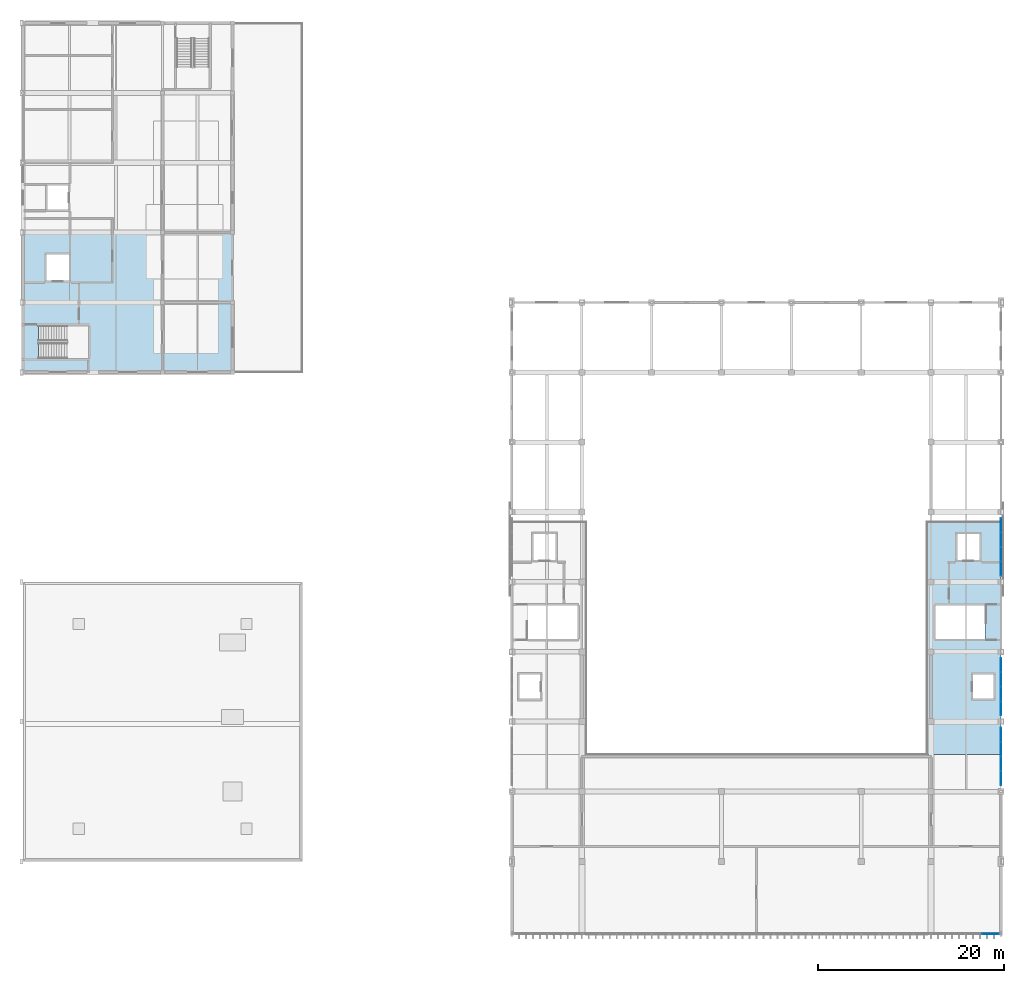
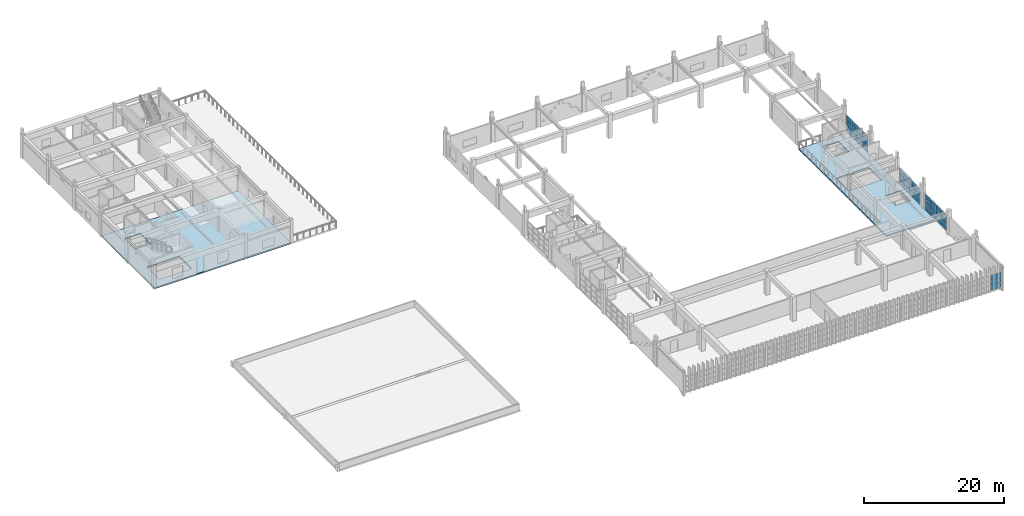
# One storey, part 26 of 51: 39 plates, 2 slabs, 4 elements without a shape of their own.
"""IFC4 building model written with IfcOpenShell, lengths in metres."""

import ifcopenshell
import ifcopenshell.guid

model = None  # the IFC model being written
_history = None  # IfcOwnerHistory: only IFC2X3 demands one
_inside = {}  # id of a spatial element -> (the spatial element, [elements in it])
_under = {}  # id of a project, library or spatial element -> (it, [spatial elements below it])
_declared = {}  # id of a project -> (the project, [libraries it declares])
_typed = {}  # id of a type object -> (the type object, [elements of that type])
_made_of = {}  # id of a material, layer set ... -> (it, [elements and type objects made of it])


def new_model(schema):
    """Start an empty IFC model of exactly this schema.

    Asked for "IFC4X3", IfcOpenShell would pick the latest addendum, in which some entities
    have other attributes; the version numbers below select the first issue.
    IFC2X3 requires an IfcOwnerHistory on every rooted entity: one is made here for all.
    """
    global model, _history
    if schema == "IFC4X3":
        model = ifcopenshell.file(schema_version=(4, 3, 0, 0))
    else:
        model = ifcopenshell.file(schema=schema)
    _inside.clear()
    _under.clear()
    _declared.clear()
    _typed.clear()
    _made_of.clear()
    _history = None
    if model.schema == "IFC2X3":
        org = make("IfcOrganization", Name="unknown")
        user = make(
            "IfcPersonAndOrganization",
            ThePerson=make("IfcPerson", FamilyName="unknown"),
            TheOrganization=org,
        )
        app = make(
            "IfcApplication",
            ApplicationDeveloper=org,
            Version="unknown",
            ApplicationFullName="unknown",
            ApplicationIdentifier="unknown",
        )
        _history = make(
            "IfcOwnerHistory",
            OwningUser=user,
            OwningApplication=app,
            ChangeAction="ADDED",
            CreationDate=0,
        )
    return model


def make(cls, **values):
    """One entity of the class cls with the attributes given. An attribute that is None is left unset."""
    return model.create_entity(
        cls, **{name: value for name, value in values.items() if value is not None}
    )


def rooted(cls, **values):
    """An entity with a GlobalId (a new one), such as an element, a storey or a relation."""
    return make(cls, GlobalId=ifcopenshell.guid.new(), OwnerHistory=_history, **values)


def si_unit(unit_type, name, prefix=None):
    """IfcSIUnit, for example si_unit("LENGTHUNIT", "METRE", prefix="MILLI")."""
    return make("IfcSIUnit", UnitType=unit_type, Prefix=prefix, Name=name)


def assignment(units):
    """IfcUnitAssignment: the units of a project."""
    return None if units is None else make("IfcUnitAssignment", Units=units)


def point(xyz):
    """IfcCartesianPoint."""
    return None if xyz is None else make("IfcCartesianPoint", Coordinates=xyz)


def direction(xyz):
    """IfcDirection."""
    return None if xyz is None else make("IfcDirection", DirectionRatios=xyz)


def frame(location, z_axis=None, x_axis=None):
    """IfcAxis2Placement3D, a coordinate frame: its origin and axes. An axis left out is left unset."""
    return make(
        "IfcAxis2Placement3D",
        Location=point(location),
        Axis=direction(z_axis),
        RefDirection=direction(x_axis),
    )


def frame_2d(location, x_axis=None):
    """IfcAxis2Placement2D, a coordinate frame in the plane: its origin and x axis."""
    return make(
        "IfcAxis2Placement2D", Location=point(location), RefDirection=direction(x_axis)
    )


def origin():
    """The frame at (0, 0, 0) with its axes left unset."""
    return frame((0.0, 0.0, 0.0))


def origin_2d():
    """The frame at (0, 0) in the plane with its x axis left unset."""
    return frame_2d((0.0, 0.0))


def place(relative_to, where):
    """IfcLocalPlacement: puts the frame where relative to a parent placement (None: the world)."""
    return make(
        "IfcLocalPlacement", PlacementRelTo=relative_to, RelativePlacement=where
    )


def context(
    kind, dimensions, precision=None, world=None, true_north=None, identifier=None
):
    """IfcGeometricRepresentationContext, for example the 3D "Model" context."""
    return make(
        "IfcGeometricRepresentationContext",
        ContextIdentifier=identifier,
        ContextType=kind,
        CoordinateSpaceDimension=dimensions,
        Precision=precision,
        WorldCoordinateSystem=world,
        TrueNorth=true_north,
    )


def subcontext(parent, identifier, kind, view, scale=None):
    """IfcGeometricRepresentationSubContext, for example "Body" below "Model"."""
    return make(
        "IfcGeometricRepresentationSubContext",
        ContextIdentifier=identifier,
        ContextType=kind,
        ParentContext=parent,
        TargetScale=scale,
        TargetView=view,
    )


def project(units=None, contexts=None):
    """IfcProject with its units and contexts."""
    return rooted(
        "IfcProject",
        Name="project",
        RepresentationContexts=contexts,
        UnitsInContext=assignment(units),
    )


def spatial(cls, under=None, at=None, **own):
    """A site, building, storey or space (cls), placed at a placement, below another one or the project."""
    s = rooted(cls, ObjectPlacement=at, **own)
    if under is not None:
        _under.setdefault(under.id(), (under, []))[1].append(s)
    return s


def polyline(points):
    """IfcPolyline through the points."""
    return make("IfcPolyline", Points=[point(p) for p in points])


def profile(cls, at=None, kind="AREA", **sizes):
    """A parametric profile (cls). Its sizes go by their IFC names, for example OverallWidth=200.0."""
    return make(cls, ProfileType=kind, Position=at, **sizes)


def rectangle(**sizes):
    """IfcRectangleProfileDef."""
    return profile("IfcRectangleProfileDef", **sizes)


def outline(outer, holes=None, kind="AREA"):
    """IfcArbitraryClosedProfileDef: a profile drawn as a closed curve; with holes, ...WithVoids."""
    if holes is None:
        return make("IfcArbitraryClosedProfileDef", ProfileType=kind, OuterCurve=outer)
    return make(
        "IfcArbitraryProfileDefWithVoids",
        ProfileType=kind,
        OuterCurve=outer,
        InnerCurves=holes,
    )


def extrude(swept, where, along, depth):
    """IfcExtrudedAreaSolid: the profile swept, set in the frame where, extruded along a direction by depth."""
    return make(
        "IfcExtrudedAreaSolid",
        SweptArea=swept,
        Position=where,
        ExtrudedDirection=direction(along),
        Depth=depth,
    )


def shape(context_of_items, identifier, shape_type, items):
    """IfcShapeRepresentation: the items that make up one representation, for example the "Body"."""
    return make(
        "IfcShapeRepresentation",
        ContextOfItems=context_of_items,
        RepresentationIdentifier=identifier,
        RepresentationType=shape_type,
        Items=items,
    )


def material(Name=None, Category=None):
    """IfcMaterial."""
    return make("IfcMaterial", Name=Name, Category=Category)


def layer(
    of_material, thickness, ventilated=None, Name=None, Category=None, Priority=None
):
    """IfcMaterialLayer: one layer of a wall or slab, of a material (None: an air gap)."""
    return make(
        "IfcMaterialLayer",
        Material=of_material,
        LayerThickness=thickness,
        IsVentilated=ventilated,
        Name=Name,
        Category=Category,
        Priority=Priority,
    )


def layer_set(layers, Name=None):
    """IfcMaterialLayerSet."""
    return make("IfcMaterialLayerSet", MaterialLayers=layers, LayerSetName=Name)


def made_of(thing, what):
    """Note that an element or type object is made of a material, layer set ...; save() writes the relation."""
    if what is not None:
        _made_of.setdefault(what.id(), (what, []))[1].append(thing)
    return thing


def type_object(cls, material=None, **own):
    """A type object (cls), such as IfcWallType, which elements share."""
    return made_of(rooted(cls, **own), material)


def element(
    cls,
    number,
    at=None,
    inside=None,
    cuts=None,
    type_object=None,
    material=None,
    context=None,
    identifier="Body",
    shape_type=None,
    held_by="IfcProductDefinitionShape",
    body=None,
    shapes=None,
    **own,
):
    """One element of the class cls, such as IfcWall. Its Tag is "e" and its number.

    at: its placement. inside: the storey or other place that contains it. cuts: it is an
    opening in that element (IfcRelVoidsElement). A single representation is given by context,
    identifier, shape_type and body (its items); several are given by shapes. held_by: the class
    of the entity that holds the representations. save() writes the other relations.
    """
    e = rooted(cls, Tag="e%d" % number, ObjectPlacement=at, **own)
    if body is not None:
        shapes = [shape(context, identifier, shape_type, body)]
    if shapes is not None:
        e.Representation = make(held_by, Representations=shapes)
    if inside is not None:
        _inside.setdefault(inside.id(), (inside, []))[1].append(e)
    if cuts is not None:
        rooted(
            "IfcRelVoidsElement", RelatingBuildingElement=cuts, RelatedOpeningElement=e
        )
    if type_object is not None:
        _typed.setdefault(type_object.id(), (type_object, []))[1].append(e)
    return made_of(e, material)


def aggregate(whole, parts):
    """IfcRelAggregates: a whole, such as a stair, and the parts it consists of."""
    return rooted("IfcRelAggregates", RelatingObject=whole, RelatedObjects=parts)


def save(model, path):
    """Write the relations noted so far, then the file.

    IfcRelAggregates (storeys below a building ...), IfcRelContainedInSpatialStructure (elements
    in a storey), IfcRelDefinesByType, IfcRelAssociatesMaterial and IfcRelDeclares: one each for
    every whole, place, type object, material and project.
    """
    for whole, parts in _under.values():
        aggregate(whole, parts)
    for where, things in _inside.values():
        rooted(
            "IfcRelContainedInSpatialStructure",
            RelatedElements=things,
            RelatingStructure=where,
        )
    for kind, things in _typed.values():
        rooted("IfcRelDefinesByType", RelatedObjects=things, RelatingType=kind)
    for what, things in _made_of.values():
        rooted("IfcRelAssociatesMaterial", RelatedObjects=things, RelatingMaterial=what)
    for by, libraries in _declared.values():
        rooted("IfcRelDeclares", RelatingContext=by, RelatedDefinitions=libraries)
    model.write(path)


model = new_model("IFC4")

# Units and contexts
model_context = context("Model", 3, precision=1e-05, world=origin(), true_north=direction((0.0, 1.0)))
body_context = subcontext(model_context, "Body", "Model", "MODEL_VIEW")
ifc_project = project(units=[si_unit("LENGTHUNIT", "METRE"), si_unit("AREAUNIT", "SQUARE_METRE"), si_unit("VOLUMEUNIT", "CUBIC_METRE"), si_unit("PLANEANGLEUNIT", "RADIAN"), si_unit("MASSUNIT", "GRAM", prefix="KILO")], contexts=[model_context])

# Site, building, storey
site_placement = place(None, origin())
site = spatial("IfcSite", under=ifc_project, at=site_placement, CompositionType="ELEMENT")
building_placement = place(site_placement, origin())
building = spatial("IfcBuilding", under=site, at=building_placement, Name="Qasida Concert Hall", CompositionType="ELEMENT")
storey_placement = place(building_placement, frame((0.0, 0.0, 21.0)))
storey = spatial("IfcBuildingStorey", under=building, at=storey_placement, Name="L05", CompositionType="ELEMENT", Elevation=21.0)

# Curtain wall, plates
ifc_material_1 = material(Name="Architectural bronze-anodized aluminium and low-E glass", Category="aluminium")
curtain_wall_type = type_object("IfcCurtainWallType", Name="CW-05", PredefinedType="NOTDEFINED", material=ifc_material_1)
curtain_wall_1_placement = place(storey_placement, origin())
curtain_wall_1 = element("IfcCurtainWall", 1, at=curtain_wall_1_placement, inside=storey, type_object=curtain_wall_type, Name="L05 curtain wall CW-05 0035", PredefinedType="NOTDEFINED")
ifc_material_2 = material(Name="Solar-control low-E double glazing", Category="glass")
ifc_layer_1 = layer(ifc_material_2, 0.028076171875, Name="Solar-control low-E double glazing")
ifc_layer_set_1 = layer_set([ifc_layer_1], Name="Solar-control low-E double glazing")
plate_type = type_object("IfcPlateType", Name="PLT-CWP-3", PredefinedType="CURTAIN_PANEL", material=ifc_layer_set_1)
plate_1_placement = place(storey_placement, frame((103.875, 14.699951171875, 0.06005859375), z_axis=(0.0, 0.0, 1.0), x_axis=(1.0, 0.0, 0.0)))
plate_1 = element("IfcPlate", 2, at=plate_1_placement, type_object=plate_type, Name="CW-05 panel 4.1", PredefinedType="CURTAIN_PANEL", context=body_context, shape_type="SweptSolid", body=[
    extrude(rectangle(XDim=1.72998046875, YDim=0.028076171875, at=origin_2d()), origin(), (0.0, 0.0, 1.0), 0.806640625),
])
plate_2_placement = place(storey_placement, frame((103.875, 14.699951171875, 0.9267578125), z_axis=(0.0, 0.0, 1.0), x_axis=(1.0, 0.0, 0.0)))
plate_2 = element("IfcPlate", 3, at=plate_2_placement, type_object=plate_type, Name="CW-05 panel 4.2", PredefinedType="CURTAIN_PANEL", context=body_context, shape_type="SweptSolid", body=[
    extrude(rectangle(XDim=1.72998046875, YDim=0.028076171875, at=origin_2d()), origin(), (0.0, 0.0, 1.0), 0.836669921875),
])
plate_3_placement = place(storey_placement, frame((103.875, 14.699951171875, 1.8232421875), z_axis=(0.0, 0.0, 1.0), x_axis=(1.0, 0.0, 0.0)))
plate_3 = element("IfcPlate", 4, at=plate_3_placement, type_object=plate_type, Name="CW-05 panel 4.3", PredefinedType="CURTAIN_PANEL", context=body_context, shape_type="SweptSolid", body=[
    extrude(rectangle(XDim=1.72998046875, YDim=0.028076171875, at=origin_2d()), origin(), (0.0, 0.0, 1.0), 0.806640625),
])
aggregate(curtain_wall_1, [plate_1, plate_2, plate_3])

curtain_wall_2_placement = place(storey_placement, origin())
curtain_wall_2 = element("IfcCurtainWall", 5, at=curtain_wall_2_placement, inside=storey, type_object=curtain_wall_type, Name="L05 curtain wall CW-05 0063", PredefinedType="NOTDEFINED")
plate_4_placement = place(storey_placement, frame((105.0, 31.41748046875, 0.06005859375), z_axis=(0.0, 0.0, 1.0), x_axis=(0.0, 1.0, 0.0)))
plate_4 = element("IfcPlate", 6, at=plate_4_placement, type_object=plate_type, Name="CW-05 panel 1.1", PredefinedType="CURTAIN_PANEL", context=body_context, shape_type="SweptSolid", body=[
    extrude(rectangle(XDim=1.47509765625, YDim=0.028076171875, at=origin_2d()), origin(), (0.0, 0.0, 1.0), 0.856689453125),
])
plate_5_placement = place(storey_placement, frame((105.0, 31.41748046875, 0.9765625), z_axis=(0.0, 0.0, 1.0), x_axis=(0.0, 1.0, 0.0)))
plate_5 = element("IfcPlate", 7, at=plate_5_placement, type_object=plate_type, Name="CW-05 panel 1.2", PredefinedType="CURTAIN_PANEL", context=body_context, shape_type="SweptSolid", body=[
    extrude(rectangle(XDim=1.47509765625, YDim=0.028076171875, at=origin_2d()), origin(), (0.0, 0.0, 1.0), 0.88671875),
])
plate_6_placement = place(storey_placement, frame((105.0, 31.41748046875, 1.92333984375), z_axis=(0.0, 0.0, 1.0), x_axis=(0.0, 1.0, 0.0)))
plate_6 = element("IfcPlate", 8, at=plate_6_placement, type_object=plate_type, Name="CW-05 panel 1.3", PredefinedType="CURTAIN_PANEL", context=body_context, shape_type="SweptSolid", body=[
    extrude(rectangle(XDim=1.47509765625, YDim=0.028076171875, at=origin_2d()), origin(), (0.0, 0.0, 1.0), 0.856689453125),
])
plate_7_placement = place(storey_placement, frame((105.0, 32.967529296875, 0.06005859375), z_axis=(0.0, 0.0, 1.0), x_axis=(0.0, 1.0, 0.0)))
plate_7 = element("IfcPlate", 9, at=plate_7_placement, type_object=plate_type, Name="CW-05 panel 2.1", PredefinedType="CURTAIN_PANEL", context=body_context, shape_type="SweptSolid", body=[
    extrude(rectangle(XDim=1.5048828125, YDim=0.028076171875, at=origin_2d()), origin(), (0.0, 0.0, 1.0), 0.856689453125),
])
plate_8_placement = place(storey_placement, frame((105.0, 32.967529296875, 0.9765625), z_axis=(0.0, 0.0, 1.0), x_axis=(0.0, 1.0, 0.0)))
plate_8 = element("IfcPlate", 10, at=plate_8_placement, type_object=plate_type, Name="CW-05 panel 2.2", PredefinedType="CURTAIN_PANEL", context=body_context, shape_type="SweptSolid", body=[
    extrude(rectangle(XDim=1.5048828125, YDim=0.028076171875, at=origin_2d()), origin(), (0.0, 0.0, 1.0), 0.88671875),
])
plate_9_placement = place(storey_placement, frame((105.0, 32.967529296875, 1.92333984375), z_axis=(0.0, 0.0, 1.0), x_axis=(0.0, 1.0, 0.0)))
plate_9 = element("IfcPlate", 11, at=plate_9_placement, type_object=plate_type, Name="CW-05 panel 2.3", PredefinedType="CURTAIN_PANEL", context=body_context, shape_type="SweptSolid", body=[
    extrude(rectangle(XDim=1.5048828125, YDim=0.028076171875, at=origin_2d()), origin(), (0.0, 0.0, 1.0), 0.856689453125),
])
plate_10_placement = place(storey_placement, frame((105.0, 34.532470703125, 0.06005859375), z_axis=(0.0, 0.0, 1.0), x_axis=(0.0, 1.0, 0.0)))
plate_10 = element("IfcPlate", 12, at=plate_10_placement, type_object=plate_type, Name="CW-05 panel 3.1", PredefinedType="CURTAIN_PANEL", context=body_context, shape_type="SweptSolid", body=[
    extrude(rectangle(XDim=1.5048828125, YDim=0.028076171875, at=origin_2d()), origin(), (0.0, 0.0, 1.0), 0.856689453125),
])
plate_11_placement = place(storey_placement, frame((105.0, 34.532470703125, 0.9765625), z_axis=(0.0, 0.0, 1.0), x_axis=(0.0, 1.0, 0.0)))
plate_11 = element("IfcPlate", 13, at=plate_11_placement, type_object=plate_type, Name="CW-05 panel 3.2", PredefinedType="CURTAIN_PANEL", context=body_context, shape_type="SweptSolid", body=[
    extrude(rectangle(XDim=1.5048828125, YDim=0.028076171875, at=origin_2d()), origin(), (0.0, 0.0, 1.0), 0.88671875),
])
plate_12_placement = place(storey_placement, frame((105.0, 34.532470703125, 1.92333984375), z_axis=(0.0, 0.0, 1.0), x_axis=(0.0, 1.0, 0.0)))
plate_12 = element("IfcPlate", 14, at=plate_12_placement, type_object=plate_type, Name="CW-05 panel 3.3", PredefinedType="CURTAIN_PANEL", context=body_context, shape_type="SweptSolid", body=[
    extrude(rectangle(XDim=1.5048828125, YDim=0.028076171875, at=origin_2d()), origin(), (0.0, 0.0, 1.0), 0.856689453125),
])
plate_13_placement = place(storey_placement, frame((105.0, 36.08251953125, 0.06005859375), z_axis=(0.0, 0.0, 1.0), x_axis=(0.0, 1.0, 0.0)))
plate_13 = element("IfcPlate", 15, at=plate_13_placement, type_object=plate_type, Name="CW-05 panel 4.1", PredefinedType="CURTAIN_PANEL", context=body_context, shape_type="SweptSolid", body=[
    extrude(rectangle(XDim=1.47509765625, YDim=0.028076171875, at=origin_2d()), origin(), (0.0, 0.0, 1.0), 0.856689453125),
])
plate_14_placement = place(storey_placement, frame((105.0, 36.08251953125, 0.9765625), z_axis=(0.0, 0.0, 1.0), x_axis=(0.0, 1.0, 0.0)))
plate_14 = element("IfcPlate", 16, at=plate_14_placement, type_object=plate_type, Name="CW-05 panel 4.2", PredefinedType="CURTAIN_PANEL", context=body_context, shape_type="SweptSolid", body=[
    extrude(rectangle(XDim=1.47509765625, YDim=0.028076171875, at=origin_2d()), origin(), (0.0, 0.0, 1.0), 0.88671875),
])
plate_15_placement = place(storey_placement, frame((105.0, 36.08251953125, 1.92333984375), z_axis=(0.0, 0.0, 1.0), x_axis=(0.0, 1.0, 0.0)))
plate_15 = element("IfcPlate", 17, at=plate_15_placement, type_object=plate_type, Name="CW-05 panel 4.3", PredefinedType="CURTAIN_PANEL", context=body_context, shape_type="SweptSolid", body=[
    extrude(rectangle(XDim=1.47509765625, YDim=0.028076171875, at=origin_2d()), origin(), (0.0, 0.0, 1.0), 0.856689453125),
])
aggregate(curtain_wall_2, [plate_4, plate_5, plate_6, plate_7, plate_8, plate_9, plate_10, plate_11, plate_12, plate_13, plate_14, plate_15])

curtain_wall_3_placement = place(storey_placement, origin())
curtain_wall_3 = element("IfcCurtainWall", 18, at=curtain_wall_3_placement, inside=storey, type_object=curtain_wall_type, Name="L05 curtain wall CW-05 0065", PredefinedType="NOTDEFINED")
plate_16_placement = place(storey_placement, frame((105.0, 38.91748046875, 0.06005859375), z_axis=(0.0, 0.0, 1.0), x_axis=(0.0, 1.0, 0.0)))
plate_16 = element("IfcPlate", 19, at=plate_16_placement, type_object=plate_type, Name="CW-05 panel 1.1", PredefinedType="CURTAIN_PANEL", context=body_context, shape_type="SweptSolid", body=[
    extrude(rectangle(XDim=1.47509765625, YDim=0.028076171875, at=origin_2d()), origin(), (0.0, 0.0, 1.0), 0.856689453125),
])
plate_17_placement = place(storey_placement, frame((105.0, 38.91748046875, 0.9765625), z_axis=(0.0, 0.0, 1.0), x_axis=(0.0, 1.0, 0.0)))
plate_17 = element("IfcPlate", 20, at=plate_17_placement, type_object=plate_type, Name="CW-05 panel 1.2", PredefinedType="CURTAIN_PANEL", context=body_context, shape_type="SweptSolid", body=[
    extrude(rectangle(XDim=1.47509765625, YDim=0.028076171875, at=origin_2d()), origin(), (0.0, 0.0, 1.0), 0.88671875),
])
plate_18_placement = place(storey_placement, frame((105.0, 38.91748046875, 1.92333984375), z_axis=(0.0, 0.0, 1.0), x_axis=(0.0, 1.0, 0.0)))
plate_18 = element("IfcPlate", 21, at=plate_18_placement, type_object=plate_type, Name="CW-05 panel 1.3", PredefinedType="CURTAIN_PANEL", context=body_context, shape_type="SweptSolid", body=[
    extrude(rectangle(XDim=1.47509765625, YDim=0.028076171875, at=origin_2d()), origin(), (0.0, 0.0, 1.0), 0.856689453125),
])
plate_19_placement = place(storey_placement, frame((105.0, 40.467529296875, 0.06005859375), z_axis=(0.0, 0.0, 1.0), x_axis=(0.0, 1.0, 0.0)))
plate_19 = element("IfcPlate", 22, at=plate_19_placement, type_object=plate_type, Name="CW-05 panel 2.1", PredefinedType="CURTAIN_PANEL", context=body_context, shape_type="SweptSolid", body=[
    extrude(rectangle(XDim=1.5048828125, YDim=0.028076171875, at=origin_2d()), origin(), (0.0, 0.0, 1.0), 0.856689453125),
])
plate_20_placement = place(storey_placement, frame((105.0, 40.467529296875, 0.9765625), z_axis=(0.0, 0.0, 1.0), x_axis=(0.0, 1.0, 0.0)))
plate_20 = element("IfcPlate", 23, at=plate_20_placement, type_object=plate_type, Name="CW-05 panel 2.2", PredefinedType="CURTAIN_PANEL", context=body_context, shape_type="SweptSolid", body=[
    extrude(rectangle(XDim=1.5048828125, YDim=0.028076171875, at=origin_2d()), origin(), (0.0, 0.0, 1.0), 0.88671875),
])
plate_21_placement = place(storey_placement, frame((105.0, 40.467529296875, 1.92333984375), z_axis=(0.0, 0.0, 1.0), x_axis=(0.0, 1.0, 0.0)))
plate_21 = element("IfcPlate", 24, at=plate_21_placement, type_object=plate_type, Name="CW-05 panel 2.3", PredefinedType="CURTAIN_PANEL", context=body_context, shape_type="SweptSolid", body=[
    extrude(rectangle(XDim=1.5048828125, YDim=0.028076171875, at=origin_2d()), origin(), (0.0, 0.0, 1.0), 0.856689453125),
])
plate_22_placement = place(storey_placement, frame((105.0, 42.032470703125, 0.06005859375), z_axis=(0.0, 0.0, 1.0), x_axis=(0.0, 1.0, 0.0)))
plate_22 = element("IfcPlate", 25, at=plate_22_placement, type_object=plate_type, Name="CW-05 panel 3.1", PredefinedType="CURTAIN_PANEL", context=body_context, shape_type="SweptSolid", body=[
    extrude(rectangle(XDim=1.5048828125, YDim=0.028076171875, at=origin_2d()), origin(), (0.0, 0.0, 1.0), 0.856689453125),
])
plate_23_placement = place(storey_placement, frame((105.0, 42.032470703125, 0.9765625), z_axis=(0.0, 0.0, 1.0), x_axis=(0.0, 1.0, 0.0)))
plate_23 = element("IfcPlate", 26, at=plate_23_placement, type_object=plate_type, Name="CW-05 panel 3.2", PredefinedType="CURTAIN_PANEL", context=body_context, shape_type="SweptSolid", body=[
    extrude(rectangle(XDim=1.5048828125, YDim=0.028076171875, at=origin_2d()), origin(), (0.0, 0.0, 1.0), 0.88671875),
])
plate_24_placement = place(storey_placement, frame((105.0, 42.032470703125, 1.92333984375), z_axis=(0.0, 0.0, 1.0), x_axis=(0.0, 1.0, 0.0)))
plate_24 = element("IfcPlate", 27, at=plate_24_placement, type_object=plate_type, Name="CW-05 panel 3.3", PredefinedType="CURTAIN_PANEL", context=body_context, shape_type="SweptSolid", body=[
    extrude(rectangle(XDim=1.5048828125, YDim=0.028076171875, at=origin_2d()), origin(), (0.0, 0.0, 1.0), 0.856689453125),
])
plate_25_placement = place(storey_placement, frame((105.0, 43.58251953125, 0.06005859375), z_axis=(0.0, 0.0, 1.0), x_axis=(0.0, 1.0, 0.0)))
plate_25 = element("IfcPlate", 28, at=plate_25_placement, type_object=plate_type, Name="CW-05 panel 4.1", PredefinedType="CURTAIN_PANEL", context=body_context, shape_type="SweptSolid", body=[
    extrude(rectangle(XDim=1.47509765625, YDim=0.028076171875, at=origin_2d()), origin(), (0.0, 0.0, 1.0), 0.856689453125),
])
plate_26_placement = place(storey_placement, frame((105.0, 43.58251953125, 0.9765625), z_axis=(0.0, 0.0, 1.0), x_axis=(0.0, 1.0, 0.0)))
plate_26 = element("IfcPlate", 29, at=plate_26_placement, type_object=plate_type, Name="CW-05 panel 4.2", PredefinedType="CURTAIN_PANEL", context=body_context, shape_type="SweptSolid", body=[
    extrude(rectangle(XDim=1.47509765625, YDim=0.028076171875, at=origin_2d()), origin(), (0.0, 0.0, 1.0), 0.88671875),
])
plate_27_placement = place(storey_placement, frame((105.0, 43.58251953125, 1.92333984375), z_axis=(0.0, 0.0, 1.0), x_axis=(0.0, 1.0, 0.0)))
plate_27 = element("IfcPlate", 30, at=plate_27_placement, type_object=plate_type, Name="CW-05 panel 4.3", PredefinedType="CURTAIN_PANEL", context=body_context, shape_type="SweptSolid", body=[
    extrude(rectangle(XDim=1.47509765625, YDim=0.028076171875, at=origin_2d()), origin(), (0.0, 0.0, 1.0), 0.856689453125),
])
aggregate(curtain_wall_3, [plate_16, plate_17, plate_18, plate_19, plate_20, plate_21, plate_22, plate_23, plate_24, plate_25, plate_26, plate_27])

curtain_wall_4_placement = place(storey_placement, origin())
curtain_wall_4 = element("IfcCurtainWall", 31, at=curtain_wall_4_placement, inside=storey, type_object=curtain_wall_type, Name="L05 curtain wall CW-05 0067", PredefinedType="NOTDEFINED")
plate_28_placement = place(storey_placement, frame((105.0, 53.91748046875, 0.06005859375), z_axis=(0.0, 0.0, 1.0), x_axis=(0.0, 1.0, 0.0)))
plate_28 = element("IfcPlate", 32, at=plate_28_placement, type_object=plate_type, Name="CW-05 panel 1.1", PredefinedType="CURTAIN_PANEL", context=body_context, shape_type="SweptSolid", body=[
    extrude(rectangle(XDim=1.47509765625, YDim=0.028076171875, at=origin_2d()), origin(), (0.0, 0.0, 1.0), 0.889892578125),
])
plate_29_placement = place(storey_placement, frame((105.0, 53.91748046875, 1.010009765625), z_axis=(0.0, 0.0, 1.0), x_axis=(0.0, 1.0, 0.0)))
plate_29 = element("IfcPlate", 33, at=plate_29_placement, type_object=plate_type, Name="CW-05 panel 1.2", PredefinedType="CURTAIN_PANEL", context=body_context, shape_type="SweptSolid", body=[
    extrude(rectangle(XDim=1.47509765625, YDim=0.028076171875, at=origin_2d()), origin(), (0.0, 0.0, 1.0), 0.919921875),
])
plate_30_placement = place(storey_placement, frame((105.0, 53.91748046875, 1.990234375), z_axis=(0.0, 0.0, 1.0), x_axis=(0.0, 1.0, 0.0)))
plate_30 = element("IfcPlate", 34, at=plate_30_placement, type_object=plate_type, Name="CW-05 panel 1.3", PredefinedType="CURTAIN_PANEL", context=body_context, shape_type="SweptSolid", body=[
    extrude(rectangle(XDim=1.47509765625, YDim=0.028076171875, at=origin_2d()), origin(), (0.0, 0.0, 1.0), 0.889892578125),
])
plate_31_placement = place(storey_placement, frame((105.0, 55.467529296875, 0.06005859375), z_axis=(0.0, 0.0, 1.0), x_axis=(0.0, 1.0, 0.0)))
plate_31 = element("IfcPlate", 35, at=plate_31_placement, type_object=plate_type, Name="CW-05 panel 2.1", PredefinedType="CURTAIN_PANEL", context=body_context, shape_type="SweptSolid", body=[
    extrude(rectangle(XDim=1.5048828125, YDim=0.028076171875, at=origin_2d()), origin(), (0.0, 0.0, 1.0), 0.889892578125),
])
plate_32_placement = place(storey_placement, frame((105.0, 55.467529296875, 1.010009765625), z_axis=(0.0, 0.0, 1.0), x_axis=(0.0, 1.0, 0.0)))
plate_32 = element("IfcPlate", 36, at=plate_32_placement, type_object=plate_type, Name="CW-05 panel 2.2", PredefinedType="CURTAIN_PANEL", context=body_context, shape_type="SweptSolid", body=[
    extrude(rectangle(XDim=1.5048828125, YDim=0.028076171875, at=origin_2d()), origin(), (0.0, 0.0, 1.0), 0.919921875),
])
plate_33_placement = place(storey_placement, frame((105.0, 55.467529296875, 1.990234375), z_axis=(0.0, 0.0, 1.0), x_axis=(0.0, 1.0, 0.0)))
plate_33 = element("IfcPlate", 37, at=plate_33_placement, type_object=plate_type, Name="CW-05 panel 2.3", PredefinedType="CURTAIN_PANEL", context=body_context, shape_type="SweptSolid", body=[
    extrude(rectangle(XDim=1.5048828125, YDim=0.028076171875, at=origin_2d()), origin(), (0.0, 0.0, 1.0), 0.889892578125),
])
plate_34_placement = place(storey_placement, frame((105.0, 57.032470703125, 0.06005859375), z_axis=(0.0, 0.0, 1.0), x_axis=(0.0, 1.0, 0.0)))
plate_34 = element("IfcPlate", 38, at=plate_34_placement, type_object=plate_type, Name="CW-05 panel 3.1", PredefinedType="CURTAIN_PANEL", context=body_context, shape_type="SweptSolid", body=[
    extrude(rectangle(XDim=1.5048828125, YDim=0.028076171875, at=origin_2d()), origin(), (0.0, 0.0, 1.0), 0.889892578125),
])
plate_35_placement = place(storey_placement, frame((105.0, 57.032470703125, 1.010009765625), z_axis=(0.0, 0.0, 1.0), x_axis=(0.0, 1.0, 0.0)))
plate_35 = element("IfcPlate", 39, at=plate_35_placement, type_object=plate_type, Name="CW-05 panel 3.2", PredefinedType="CURTAIN_PANEL", context=body_context, shape_type="SweptSolid", body=[
    extrude(rectangle(XDim=1.5048828125, YDim=0.028076171875, at=origin_2d()), origin(), (0.0, 0.0, 1.0), 0.919921875),
])
plate_36_placement = place(storey_placement, frame((105.0, 57.032470703125, 1.990234375), z_axis=(0.0, 0.0, 1.0), x_axis=(0.0, 1.0, 0.0)))
plate_36 = element("IfcPlate", 40, at=plate_36_placement, type_object=plate_type, Name="CW-05 panel 3.3", PredefinedType="CURTAIN_PANEL", context=body_context, shape_type="SweptSolid", body=[
    extrude(rectangle(XDim=1.5048828125, YDim=0.028076171875, at=origin_2d()), origin(), (0.0, 0.0, 1.0), 0.889892578125),
])
plate_37_placement = place(storey_placement, frame((105.0, 58.58251953125, 0.06005859375), z_axis=(0.0, 0.0, 1.0), x_axis=(0.0, 1.0, 0.0)))
plate_37 = element("IfcPlate", 41, at=plate_37_placement, type_object=plate_type, Name="CW-05 panel 4.1", PredefinedType="CURTAIN_PANEL", context=body_context, shape_type="SweptSolid", body=[
    extrude(rectangle(XDim=1.47509765625, YDim=0.028076171875, at=origin_2d()), origin(), (0.0, 0.0, 1.0), 0.889892578125),
])
plate_38_placement = place(storey_placement, frame((105.0, 58.58251953125, 1.010009765625), z_axis=(0.0, 0.0, 1.0), x_axis=(0.0, 1.0, 0.0)))
plate_38 = element("IfcPlate", 42, at=plate_38_placement, type_object=plate_type, Name="CW-05 panel 4.2", PredefinedType="CURTAIN_PANEL", context=body_context, shape_type="SweptSolid", body=[
    extrude(rectangle(XDim=1.47509765625, YDim=0.028076171875, at=origin_2d()), origin(), (0.0, 0.0, 1.0), 0.919921875),
])
plate_39_placement = place(storey_placement, frame((105.0, 58.58251953125, 1.990234375), z_axis=(0.0, 0.0, 1.0), x_axis=(0.0, 1.0, 0.0)))
plate_39 = element("IfcPlate", 43, at=plate_39_placement, type_object=plate_type, Name="CW-05 panel 4.3", PredefinedType="CURTAIN_PANEL", context=body_context, shape_type="SweptSolid", body=[
    extrude(rectangle(XDim=1.47509765625, YDim=0.028076171875, at=origin_2d()), origin(), (0.0, 0.0, 1.0), 0.889892578125),
])
aggregate(curtain_wall_4, [plate_28, plate_29, plate_30, plate_31, plate_32, plate_33, plate_34, plate_35, plate_36, plate_37, plate_38, plate_39])

# Slabs
ifc_material_3 = material(Name="Concrete C40/50", Category="concrete")
ifc_layer_2 = layer(ifc_material_3, 0.239990234375, Name="Concrete C40/50")
ifc_layer_set_2 = layer_set([ifc_layer_2], Name="Concrete C40/50")
slab_type = type_object("IfcSlabType", Name="SL-FS-240", PredefinedType="FLOOR", material=ifc_layer_set_2)
slab_1_placement = place(storey_placement, frame((0.0, 0.0, -0.239990234375)))
element("IfcSlab", 44, at=slab_1_placement, inside=storey, type_object=slab_type, Name="V1 technical gallery east (FS-240)", PredefinedType="FLOOR", context=body_context, shape_type="SweptSolid", body=[
    extrude(outline(polyline([(97.0, 34.0), (105.0, 34.0), (105.0, 59.0), (97.0, 59.0), (97.0, 34.0)]), holes=[polyline([(101.89990234375, 39.85009765625), (104.300048828125, 39.85009765625), (104.300048828125, 42.64990234375), (101.89990234375, 42.64990234375), (101.89990234375, 39.85009765625)]), polyline([(97.97998046875, 46.39990234375), (103.31005859375, 46.39990234375), (103.31005859375, 49.9599609375), (97.97998046875, 49.9599609375), (97.97998046875, 46.39990234375)]), polyline([(100.199951171875, 54.75), (102.800048828125, 54.75), (102.800048828125, 57.75), (100.199951171875, 57.75), (100.199951171875, 54.75)])]), origin(), (0.0, 0.0, 1.0), 0.239990234375),
])
slab_2_placement = place(storey_placement, frame((0.0, 0.0, -0.239990234375)))
element("IfcSlab", 45, at=slab_2_placement, inside=storey, type_object=slab_type, Name="V5 artistic direction south (FS-240)", PredefinedType="FLOOR", context=body_context, shape_type="SweptSolid", body=[
    extrude(outline(polyline([(0.0, 75.0), (22.5, 75.0), (22.5, 90.0), (0.0, 90.0), (0.0, 75.0)]), holes=[polyline([(1.659912109375, 76.5), (7.02001953125, 76.5), (7.02001953125, 80.0), (1.659912109375, 80.0), (1.659912109375, 76.5)]), polyline([(2.449951171875, 84.75), (5.050048828125, 84.75), (5.050048828125, 87.75), (2.449951171875, 87.75), (2.449951171875, 84.75)])]), origin(), (0.0, 0.0, 1.0), 0.239990234375),
])

save(model, "model.ifc")
